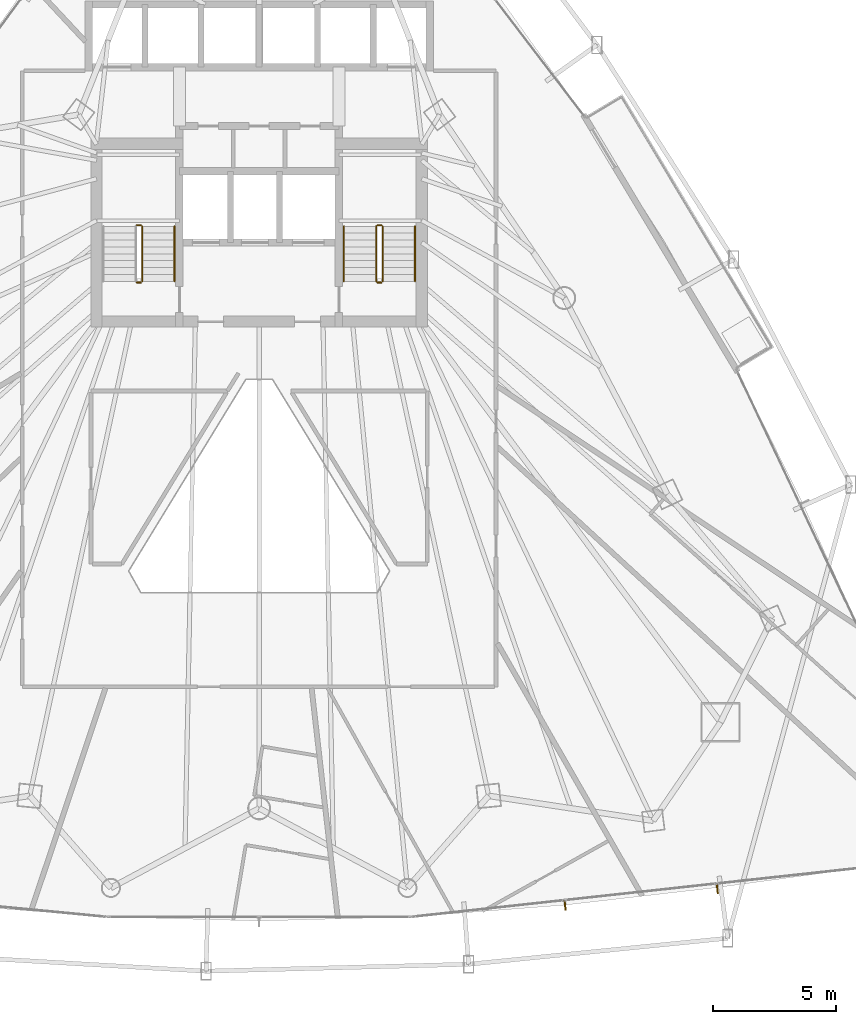
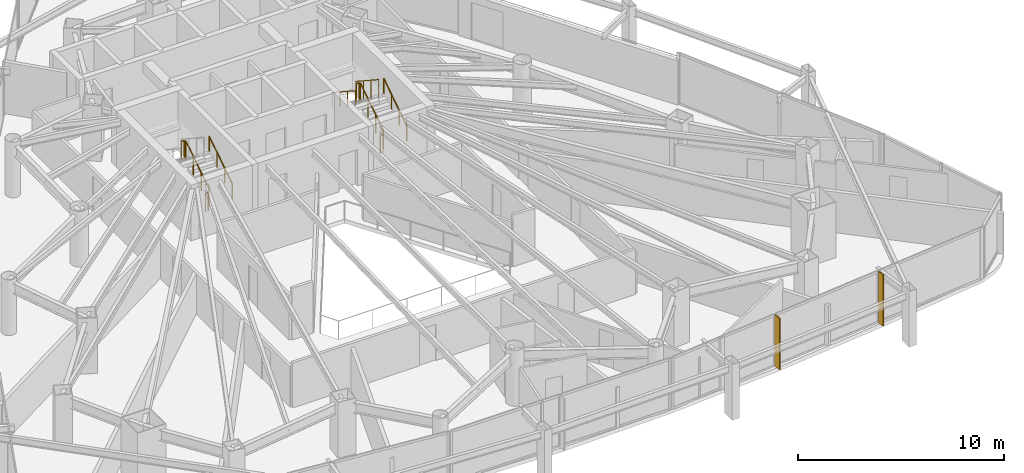
# One storey, part 32 of 33: 10 railings, 2 shading devices.
"""IFC4 building model written with IfcOpenShell, lengths in metres."""

from ifc_helpers import new_model, si_unit, direction, frame, origin, origin_2d, place, context, subcontext, project, spatial, rectangle, circle, extrude, material, layer, layer_set, type_object, element, save


model = new_model("IFC4")

# Units and contexts
model_context = context("Model", 3, precision=1e-05, world=origin(), true_north=direction((0.0, 1.0)))
body_context = subcontext(model_context, "Body", "Model", "MODEL_VIEW")
ifc_project = project(units=[si_unit("LENGTHUNIT", "METRE"), si_unit("AREAUNIT", "SQUARE_METRE"), si_unit("VOLUMEUNIT", "CUBIC_METRE"), si_unit("PLANEANGLEUNIT", "RADIAN"), si_unit("MASSUNIT", "GRAM", prefix="KILO")], contexts=[model_context])

# Site, building, storey
site_placement = place(None, origin())
site = spatial("IfcSite", under=ifc_project, at=site_placement, CompositionType="ELEMENT")
building_placement = place(site_placement, origin())
building = spatial("IfcBuilding", under=site, at=building_placement, Name="Orvanel Arch Residences", CompositionType="ELEMENT")
storey_placement = place(building_placement, frame((0.0, 0.0, 90.64990234375)))
storey = spatial("IfcBuildingStorey", under=building, at=storey_placement, Name="L25", CompositionType="ELEMENT", Elevation=90.64990234375)

# Shading devices
ifc_material_1 = material(Name="Bronze-anodised aluminium AA6063-T6", Category="aluminium")
ifc_layer = layer(ifc_material_1, 0.06005859375)
ifc_layer_set = layer_set([ifc_layer], Name="Bronze-anodised aluminium AA6063-T6")
shading_device_type = type_object("IfcShadingDeviceType", Name="FIN-BRZ-380", PredefinedType="USERDEFINED", material=ifc_layer_set)
for number, where, z_axis, x_axis, name in (
    (1, (45.465087890625, 2.885986328125, 0.0), (0.0, 0.0, 1.0), (0.107999355706, -0.994150963972, 0.0), "L25 Anodised Bronze Mullion FIN 01"),
    (2, (51.6689453125, 3.56298828125, 0.0), (0.0, 0.0, 1.0), (0.107999355706, -0.994150963972, 0.0), "L25 Anodised Bronze Mullion FIN 02"),
):
    element("IfcShadingDevice", number, at=place(storey_placement, frame(where, z_axis=z_axis, x_axis=x_axis)), inside=storey, type_object=shading_device_type, Name=name, ObjectType="FIN", PredefinedType="USERDEFINED", context=body_context, shape_type="SweptSolid", body=[
        extrude(rectangle(XDim=0.3798828125, YDim=0.06005859375, at=origin_2d()), origin(), (0.0, 0.0, 1.0), 3.06005859375),
    ])

# Railings
ifc_material_2 = material(Name="Structural steel AS/NZS 1163 C350L0 (Grade 350)", Category="steel")
railing_type_1 = type_object("IfcRailingType", Name="RL-STAIR-GUARD", PredefinedType="GUARDRAIL", material=ifc_material_2)
railing_1_placement = place(storey_placement, frame((28.22998046875, 28.320068359375, 0.183349609375)))
element("IfcRailing", 3, at=railing_1_placement, inside=storey, type_object=railing_type_1, Name="L25 ST-1 stair guard 1", PredefinedType="GUARDRAIL", context=body_context, shape_type="SweptSolid", body=[
    extrude(circle(Radius=0.02392578125, at=origin_2d()), frame((0.0, 0.001220703125, 1.076904296875), z_axis=(0.0, 0.836595146698, 0.547821650285), x_axis=(-1.0, 0.0, 0.0)), (0.0, 0.0, 1.0), 2.674560546875),
    extrude(circle(Radius=0.02099609375, at=origin_2d()), origin(), (0.0, 0.0, 1.0), 1.050048828125),
    extrude(circle(Radius=0.02099609375, at=origin_2d()), frame((0.0, 0.74658203125, 0.489013671875)), (0.0, 0.0, 1.0), 1.050048828125),
    extrude(circle(Radius=0.02099609375, at=origin_2d()), frame((0.0, 1.493408203125, 0.977783203125)), (0.0, 0.0, 1.0), 1.050048828125),
    extrude(circle(Radius=0.02099609375, at=origin_2d()), frame((0.0, 2.239990234375, 1.466796875)), (0.0, 0.0, 1.0), 1.050048828125),
])
for number, where, name in (
    (4, (28.179931640625, 30.610107421875, 1.650146484375), "L25 ST-1 stair guard 2"),
    (5, (28.179931640625, 28.27001953125, 0.0), "L25 ST-1 stair guard 4"),
):
    element("IfcRailing", number, at=place(storey_placement, frame(where)), inside=storey, type_object=railing_type_1, Name=name, PredefinedType="GUARDRAIL", context=body_context, shape_type="SweptSolid", body=[
        extrude(circle(Radius=0.02392578125, at=origin_2d()), frame((-0.00146484375, 0.0, 1.076171875), z_axis=(-1.0, 0.0, 0.0), x_axis=(0.0, -1.0, 0.0)), (0.0, 0.0, 1.0), 0.156982421875),
        extrude(circle(Radius=0.02099609375, at=origin_2d()), origin(), (0.0, 0.0, 1.0), 1.050048828125),
        extrude(circle(Radius=0.02099609375, at=origin_2d()), frame((-0.159912109375, 0.0, 0.0)), (0.0, 0.0, 1.0), 1.050048828125),
    ])
railing_2_placement = place(storey_placement, frame((38.030029296875, 28.320068359375, 0.183349609375)))
element("IfcRailing", 6, at=railing_2_placement, inside=storey, type_object=railing_type_1, Name="L25 ST-2 stair guard 1", PredefinedType="GUARDRAIL", context=body_context, shape_type="SweptSolid", body=[
    extrude(circle(Radius=0.02392578125, at=origin_2d()), frame((0.0, 0.001220703125, 1.076904296875), z_axis=(0.0, 0.836595146698, 0.547821650285), x_axis=(-1.0, 0.0, 0.0)), (0.0, 0.0, 1.0), 2.674560546875),
    extrude(circle(Radius=0.02099609375, at=origin_2d()), origin(), (0.0, 0.0, 1.0), 1.050048828125),
    extrude(circle(Radius=0.02099609375, at=origin_2d()), frame((0.0, 0.74658203125, 0.489013671875)), (0.0, 0.0, 1.0), 1.050048828125),
    extrude(circle(Radius=0.02099609375, at=origin_2d()), frame((0.0, 1.493408203125, 0.977783203125)), (0.0, 0.0, 1.0), 1.050048828125),
    extrude(circle(Radius=0.02099609375, at=origin_2d()), frame((0.0, 2.239990234375, 1.466796875)), (0.0, 0.0, 1.0), 1.050048828125),
])
railing_3_placement = place(storey_placement, frame((37.97998046875, 30.610107421875, 1.650146484375)))
element("IfcRailing", 7, at=railing_3_placement, inside=storey, type_object=railing_type_1, Name="L25 ST-2 stair guard 2", PredefinedType="GUARDRAIL", context=body_context, shape_type="SweptSolid", body=[
    extrude(circle(Radius=0.02392578125, at=origin_2d()), frame((-0.00146484375, 0.0, 1.076171875), z_axis=(-1.0, 0.0, 0.0), x_axis=(0.0, -1.0, 0.0)), (0.0, 0.0, 1.0), 0.156982421875),
    extrude(circle(Radius=0.02099609375, at=origin_2d()), origin(), (0.0, 0.0, 1.0), 1.050048828125),
    extrude(circle(Radius=0.02099609375, at=origin_2d()), frame((-0.159912109375, 0.0, 0.0)), (0.0, 0.0, 1.0), 1.050048828125),
])
railing_4_placement = place(storey_placement, frame((37.77001953125, 30.56005859375, 1.83349609375)))
element("IfcRailing", 8, at=railing_4_placement, inside=storey, type_object=railing_type_1, Name="L25 ST-2 stair guard 3", PredefinedType="GUARDRAIL", context=body_context, shape_type="SweptSolid", body=[
    extrude(circle(Radius=0.02392578125, at=origin_2d()), frame((0.0, -0.001220703125, 1.076904296875), z_axis=(0.0, -0.836636935527, 0.547757827979), x_axis=(1.0, 0.0, 0.0)), (0.0, 0.0, 1.0), 2.67431640625),
    extrude(circle(Radius=0.02099609375, at=origin_2d()), origin(), (0.0, 0.0, 1.0), 1.050048828125),
    extrude(circle(Radius=0.02099609375, at=origin_2d()), frame((0.0, -0.74658203125, 0.48876953125)), (0.0, 0.0, 1.0), 1.050048828125),
    extrude(circle(Radius=0.02099609375, at=origin_2d()), frame((0.0, -1.493408203125, 0.977783203125)), (0.0, 0.0, 1.0), 1.050048828125),
    extrude(circle(Radius=0.02099609375, at=origin_2d()), frame((0.0, -2.239990234375, 1.466552734375)), (0.0, 0.0, 1.0), 1.050048828125),
])
railing_5_placement = place(storey_placement, frame((37.97998046875, 28.27001953125, 0.0)))
element("IfcRailing", 9, at=railing_5_placement, inside=storey, type_object=railing_type_1, Name="L25 ST-2 stair guard 4", PredefinedType="GUARDRAIL", context=body_context, shape_type="SweptSolid", body=[
    extrude(circle(Radius=0.02392578125, at=origin_2d()), frame((-0.00146484375, 0.0, 1.076171875), z_axis=(-1.0, 0.0, 0.0), x_axis=(0.0, -1.0, 0.0)), (0.0, 0.0, 1.0), 0.156982421875),
    extrude(circle(Radius=0.02099609375, at=origin_2d()), origin(), (0.0, 0.0, 1.0), 1.050048828125),
    extrude(circle(Radius=0.02099609375, at=origin_2d()), frame((-0.159912109375, 0.0, 0.0)), (0.0, 0.0, 1.0), 1.050048828125),
])
railing_type_2 = type_object("IfcRailingType", Name="RL-STAIR-HAND", PredefinedType="HANDRAIL", material=ifc_material_2)
for number, where, name in (
    (10, (29.550048828125, 28.320068359375, 0.183349609375), "L25 ST-1 stair handrail 1"),
    (11, (39.35009765625, 28.320068359375, 0.183349609375), "L25 ST-2 stair handrail 1"),
):
    element("IfcRailing", number, at=place(storey_placement, frame(where)), inside=storey, type_object=railing_type_2, Name=name, PredefinedType="HANDRAIL", context=body_context, shape_type="SweptSolid", body=[
        extrude(circle(Radius=0.02392578125, at=origin_2d()), frame((0.0, 0.001220703125, 0.876708984375), z_axis=(0.0, 0.836595146698, 0.547821650285), x_axis=(-1.0, 0.0, 0.0)), (0.0, 0.0, 1.0), 2.674560546875),
        extrude(circle(Radius=0.02099609375, at=origin_2d()), origin(), (0.0, 0.0, 1.0), 0.849853515625),
        extrude(circle(Radius=0.02099609375, at=origin_2d()), frame((0.0, 0.74658203125, 0.489013671875)), (0.0, 0.0, 1.0), 0.849853515625),
        extrude(circle(Radius=0.02099609375, at=origin_2d()), frame((0.0, 1.493408203125, 0.977783203125)), (0.0, 0.0, 1.0), 0.849853515625),
        extrude(circle(Radius=0.02099609375, at=origin_2d()), frame((0.0, 2.239990234375, 1.466796875)), (0.0, 0.0, 1.0), 0.849853515625),
    ])
railing_6_placement = place(storey_placement, frame((36.449951171875, 30.56005859375, 1.83349609375)))
element("IfcRailing", 12, at=railing_6_placement, inside=storey, type_object=railing_type_2, Name="L25 ST-2 stair handrail 2", PredefinedType="HANDRAIL", context=body_context, shape_type="SweptSolid", body=[
    extrude(circle(Radius=0.02392578125, at=origin_2d()), frame((0.0, -0.001220703125, 0.876708984375), z_axis=(0.0, -0.836636935527, 0.547757827979), x_axis=(1.0, 0.0, 0.0)), (0.0, 0.0, 1.0), 2.67431640625),
    extrude(circle(Radius=0.02099609375, at=origin_2d()), origin(), (0.0, 0.0, 1.0), 0.849853515625),
    extrude(circle(Radius=0.02099609375, at=origin_2d()), frame((0.0, -0.74658203125, 0.48876953125)), (0.0, 0.0, 1.0), 0.849853515625),
    extrude(circle(Radius=0.02099609375, at=origin_2d()), frame((0.0, -1.493408203125, 0.977783203125)), (0.0, 0.0, 1.0), 0.849853515625),
    extrude(circle(Radius=0.02099609375, at=origin_2d()), frame((0.0, -2.239990234375, 1.466552734375)), (0.0, 0.0, 1.0), 0.849853515625),
])

save(model, "model.ifc")
